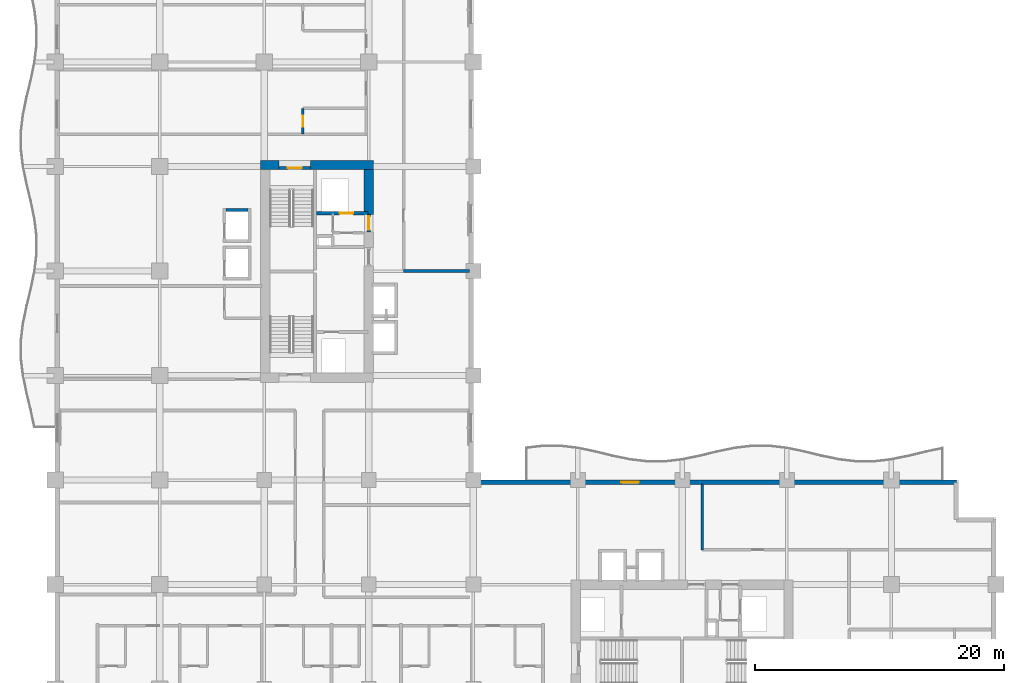
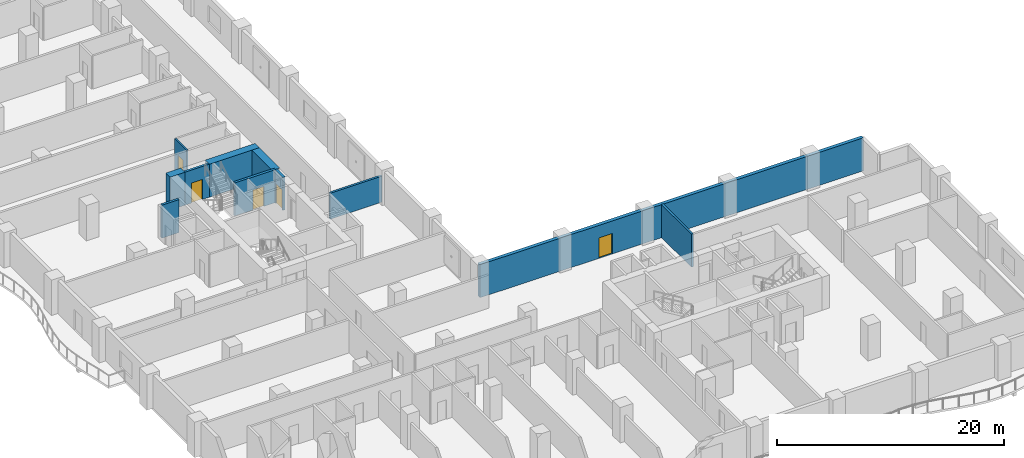
# One storey, part 8 of 17: 11 walls, 5 doors, 5 openings.
"""IFC4 building model written with IfcOpenShell, lengths in metres."""

from ifc_helpers import new_model, si_unit, direction, frame, frame_2d, origin, place, context, subcontext, project, spatial, rectangle, extrude, material, layer, layer_set, type_object, element, fill, save


model = new_model("IFC4")

# Units and contexts
model_context = context("Model", 3, precision=1e-05, world=origin(), true_north=direction((0.0, 1.0)))
body_context = subcontext(model_context, "Body", "Model", "MODEL_VIEW")
ifc_project = project(units=[si_unit("LENGTHUNIT", "METRE"), si_unit("AREAUNIT", "SQUARE_METRE"), si_unit("VOLUMEUNIT", "CUBIC_METRE"), si_unit("PLANEANGLEUNIT", "RADIAN"), si_unit("MASSUNIT", "GRAM", prefix="KILO")], contexts=[model_context])

# Site, building, storey
site_placement = place(None, origin())
site = spatial("IfcSite", under=ifc_project, at=site_placement, CompositionType="ELEMENT")
building_placement = place(site_placement, origin())
building = spatial("IfcBuilding", under=site, at=building_placement, Name="Koriwani Terraces Tower", CompositionType="ELEMENT")
storey_placement = place(building_placement, frame((0.0, 0.0, 130.39990234375)))
storey = spatial("IfcBuildingStorey", under=building, at=storey_placement, Name="L31", CompositionType="ELEMENT", Elevation=130.39990234375)

# Walls
ifc_material_1 = material(Name="Concrete C60/75", Category="concrete")
ifc_layer_1 = layer(ifc_material_1, 0.75, Name="Concrete C60/75")
ifc_layer_set_1 = layer_set([ifc_layer_1], Name="Concrete C60/75")
wall_type_1 = type_object("IfcWallType", Name="WALL_CORE_RC_750", PredefinedType="SHEAR", material=ifc_layer_set_1)
wall_1_placement = place(storey_placement, frame((16.5, 58.925048828125, 0.0), z_axis=(0.0, 0.0, 1.0), x_axis=(1.0, 0.0, 0.0)))
element("IfcWall", 1, at=wall_1_placement, inside=storey, type_object=wall_type_1, Name="L31 West Split Core Shear Wall N1", PredefinedType="SHEAR", context=body_context, shape_type="SweptSolid", body=[
    extrude(rectangle(XDim=1.5, YDim=0.75, at=frame_2d((0.75, 0.0))), origin(), (0.0, 0.0, 1.0), 3.550048828125),
])
wall_2_placement = place(storey_placement, frame((20.5, 58.925048828125, 0.0), z_axis=(0.0, 0.0, 1.0), x_axis=(1.0, 0.0, 0.0)))
element("IfcWall", 2, at=wall_2_placement, inside=storey, type_object=wall_type_1, Name="L31 West Split Core Shear Wall N2", PredefinedType="SHEAR", context=body_context, shape_type="SweptSolid", body=[
    extrude(rectangle(XDim=5.074951171875, YDim=0.75, at=frame_2d((2.53759765625, 0.0))), origin(), (0.0, 0.0, 1.0), 3.550048828125),
])
wall_3_placement = place(storey_placement, frame((25.199951171875, 54.949951171875, 0.0), z_axis=(0.0, 0.0, 1.0), x_axis=(0.0, 1.0, 0.0)))
element("IfcWall", 3, at=wall_3_placement, inside=storey, type_object=wall_type_1, Name="L31 West Split Core Shear Wall E3", PredefinedType="SHEAR", context=body_context, shape_type="SweptSolid", body=[
    extrude(rectangle(XDim=3.60009765625, YDim=0.75, at=frame_2d((1.800048828125, 0.0))), origin(), (0.0, 0.0, 1.0), 3.550048828125),
])
ifc_material_2 = material(Name="Autoclaved Cellular Concrete Blockwork", Category="masonry")
ifc_layer_2 = layer(ifc_material_2, 0.219970703125, Name="Autoclaved Cellular Concrete Blockwork")
ifc_layer_set_2 = layer_set([ifc_layer_2], Name="Autoclaved Cellular Concrete Blockwork")
wall_type_2 = type_object("IfcWallType", Name="WALL_DEMISING_220", PredefinedType="PARTITIONING", material=ifc_layer_set_2)
wall_4_placement = place(storey_placement, frame((28.0, 50.39990234375, 0.0), z_axis=(0.0, 0.0, 1.0), x_axis=(1.0, 0.0, 0.0)))
element("IfcWall", 4, at=wall_4_placement, inside=storey, type_object=wall_type_2, Name="L31 Interior Wall WNEC-S-L31", PredefinedType="PARTITIONING", context=body_context, shape_type="SweptSolid", body=[
    extrude(rectangle(XDim=5.300048828125, YDim=0.219970703125, at=frame_2d((2.64990234375, 0.0))), origin(), (0.0, 0.0, 1.0), 2.800048828125),
])
wall_5_placement = place(storey_placement, frame((52.0, 28.0, 0.0), z_axis=(0.0, 0.0, 1.0), x_axis=(0.0, 1.0, 0.0)))
element("IfcWall", 5, at=wall_5_placement, inside=storey, type_object=wall_type_2, Name="L31 Interior Wall WSET2-W-L31", PredefinedType="PARTITIONING", context=body_context, shape_type="SweptSolid", body=[
    extrude(rectangle(XDim=5.300048828125, YDim=0.219970703125, at=frame_2d((2.64990234375, 0.0))), origin(), (0.0, 0.0, 1.0), 3.550048828125),
])

# Wall, opening, door
ifc_material_3 = material(Name="Concrete C50/60", Category="concrete")
ifc_layer_3 = layer(ifc_material_3, 0.35009765625, Name="Concrete C50/60")
ifc_layer_set_3 = layer_set([ifc_layer_3], Name="Concrete C50/60")
wall_type_3 = type_object("IfcWallType", Name="WALL_EXT_BRUTALIST_350", PredefinedType="STANDARD", material=ifc_layer_set_3)
wall_6_placement = place(storey_placement, frame((33.425048828125, 33.425048828125, 0.0), z_axis=(0.0, 0.0, 1.0), x_axis=(1.0, 0.0, 0.0)))
wall_6 = element("IfcWall", 6, at=wall_6_placement, inside=storey, type_object=wall_type_3, Name="L31 Fair-Faced Brutalist Exterior Wall (NE)", PredefinedType="STANDARD", context=body_context, shape_type="SweptSolid", body=[
    extrude(rectangle(XDim=39.0, YDim=0.35009765625, at=frame_2d((19.5, 0.0))), origin(), (0.0, 0.0, 1.0), 3.550048828125),
])
opening_1_placement = place(wall_6_placement, frame((12.074951171875, 0.0, 0.0)))
opening_1 = element("IfcOpeningElement", 7, at=opening_1_placement, cuts=wall_6, Name="Opening D-09", PredefinedType="OPENING", context=body_context, shape_type="SweptSolid", body=[
    extrude(rectangle(XDim=1.39990234375, YDim=2.199951171875, at=frame_2d((0.699951171875, 1.10009765625))), frame((0.0, 0.18505859375, 0.0), z_axis=(0.0, -1.0, 0.0), x_axis=(1.0, 0.0, 0.0)), (0.0, 0.0, 1.0), 0.3701171875),
])
ifc_material_4 = material(Name="Anodised Bronze Aluminium", Category="aluminium")
door_type_1 = type_object("IfcDoorType", Name="DOOR_BALCONY_GLAZED_1400X2200", OperationType="NOTDEFINED", PredefinedType="DOOR", material=ifc_material_4)
door_1_placement = place(opening_1_placement, origin())
door_1 = element("IfcDoor", 8, at=door_1_placement, inside=storey, type_object=door_type_1, Name="L31 Inner Court Balcony Glazed Door", OperationType="SINGLE_SWING_LEFT", OverallHeight=2.199951171875, OverallWidth=1.39990234375, PredefinedType="DOOR", context=body_context, shape_type="SweptSolid", body=[
    extrude(rectangle(XDim=1.39990234375, YDim=2.199951171875, at=frame_2d((0.699951171875, 1.10009765625))), frame((0.0, 0.02490234375, 0.0), z_axis=(0.0, -1.0, 0.0), x_axis=(1.0, 0.0, 0.0)), (0.0, 0.0, 1.0), 0.050048828125),
])
fill(opening_1, door_1)

ifc_material_5 = material(Name="Fire-Rated Acoustic Gypsum Partition", Category="masonry")
ifc_layer_4 = layer(ifc_material_5, 0.179931640625, Name="Fire-Rated Acoustic Gypsum Partition")
ifc_layer_set_4 = layer_set([ifc_layer_4], Name="Fire-Rated Acoustic Gypsum Partition")
wall_type_4 = type_object("IfcWallType", Name="WALL_PLUMBING_180", PredefinedType="PLUMBINGWALL", material=ifc_layer_set_4)
wall_7_placement = place(storey_placement, frame((19.89990234375, 61.39990234375, 0.0), z_axis=(0.0, 0.0, 1.0), x_axis=(0.0, 1.0, 0.0)))
wall_7 = element("IfcWall", 9, at=wall_7_placement, inside=storey, type_object=wall_type_4, Name="L31 Interior Wall WBTH1-L31-NE-0", PredefinedType="PLUMBINGWALL", context=body_context, shape_type="SweptSolid", body=[
    extrude(rectangle(XDim=2.080078125, YDim=0.179931640625, at=frame_2d((1.0400390625, 0.0))), origin(), (0.0, 0.0, 1.0), 3.550048828125),
])
opening_2_placement = place(wall_7_placement, frame((0.590087890625, 0.0, 0.0)))
opening_2 = element("IfcOpeningElement", 10, at=opening_2_placement, cuts=wall_7, Name="Opening D-07", PredefinedType="OPENING", context=body_context, shape_type="SweptSolid", body=[
    extrude(rectangle(XDim=0.89990234375, YDim=2.10009765625, at=frame_2d((0.449951171875, 1.050048828125))), frame((0.0, 0.10009765625, 0.0), z_axis=(0.0, -1.0, 0.0), x_axis=(1.0, 0.0, 0.0)), (0.0, 0.0, 1.0), 0.199951171875),
])
ifc_material_6 = material(Name="Architectural Oak Fire Door", Category="wood")
door_type_2 = type_object("IfcDoorType", Name="DOOR_BATH_INT_900X2100", OperationType="NOTDEFINED", PredefinedType="DOOR", material=ifc_material_6)
door_2_placement = place(opening_2_placement, origin())
door_2 = element("IfcDoor", 11, at=door_2_placement, inside=storey, type_object=door_type_2, Name="En-Suite Bathroom 31NE1 Door", OperationType="SINGLE_SWING_LEFT", OverallHeight=2.10009765625, OverallWidth=0.89990234375, PredefinedType="DOOR", context=body_context, shape_type="SweptSolid", body=[
    extrude(rectangle(XDim=0.89990234375, YDim=2.10009765625, at=frame_2d((0.449951171875, 1.050048828125))), frame((0.0, 0.02490234375, 0.0), z_axis=(0.0, -1.0, 0.0), x_axis=(1.0, 0.0, 0.0)), (0.0, 0.0, 1.0), 0.050048828125),
])
fill(opening_2, door_2)

ifc_material_7 = material(Name="Concrete C40/50", Category="concrete")
ifc_layer_5 = layer(ifc_material_7, 0.25, Name="Concrete C40/50")
ifc_layer_set_5 = layer_set([ifc_layer_5], Name="Concrete C40/50")
wall_type_5 = type_object("IfcWallType", Name="WALL_SHAFT_RATED_250", PredefinedType="SOLIDWALL", material=ifc_layer_set_5)
wall_8_placement = place(storey_placement, frame((18.0, 58.675048828125, 0.0), z_axis=(0.0, 0.0, 1.0), x_axis=(1.0, 0.0, 0.0)))
wall_8 = element("IfcWall", 12, at=wall_8_placement, inside=storey, type_object=wall_type_5, Name="L31 Interior Wall WIN-CW-L31-STN", PredefinedType="SOLIDWALL", context=body_context, shape_type="SweptSolid", body=[
    extrude(rectangle(XDim=2.5, YDim=0.25, at=frame_2d((1.25, 0.0))), origin(), (0.0, 0.0, 1.0), 3.550048828125),
])
opening_3_placement = place(wall_8_placement, frame((0.699951171875, 0.0, 0.0)))
opening_3 = element("IfcOpeningElement", 13, at=opening_3_placement, cuts=wall_8, Name="Opening D-03", PredefinedType="OPENING", context=body_context, shape_type="SweptSolid", body=[
    extrude(rectangle(XDim=1.10009765625, YDim=2.14990234375, at=frame_2d((0.550048828125, 1.074951171875))), frame((0.0, 0.135009765625, 0.0), z_axis=(0.0, -1.0, 0.0), x_axis=(1.0, 0.0, 0.0)), (0.0, 0.0, 1.0), 0.27001953125),
])
ifc_material_8 = material(Name="Steel ASTM A572 Grade 50", Category="steel")
door_type_3 = type_object("IfcDoorType", Name="DOOR_STAIR_FIRE_1100X2150", OperationType="NOTDEFINED", PredefinedType="DOOR", material=ifc_material_8)
door_3_placement = place(opening_3_placement, origin())
door_3 = element("IfcDoor", 14, at=door_3_placement, inside=storey, type_object=door_type_3, Name="L31 Exit Stair ST-W2 Door", OperationType="SINGLE_SWING_RIGHT", OverallHeight=2.14990234375, OverallWidth=1.10009765625, PredefinedType="DOOR", context=body_context, shape_type="SweptSolid", body=[
    extrude(rectangle(XDim=1.10009765625, YDim=2.14990234375, at=frame_2d((0.550048828125, 1.074951171875))), frame((0.0, 0.02490234375, 0.0), z_axis=(0.0, -1.0, 0.0), x_axis=(1.0, 0.0, 0.0)), (0.0, 0.0, 1.0), 0.050048828125),
])
fill(opening_3, door_3)

wall_9_placement = place(storey_placement, frame((21.0, 55.050048828125, 0.0), z_axis=(0.0, 0.0, 1.0), x_axis=(1.0, 0.0, 0.0)))
wall_9 = element("IfcWall", 15, at=wall_9_placement, inside=storey, type_object=wall_type_5, Name="L31 Interior Wall WIN-CW-L31-SE", PredefinedType="SOLIDWALL", context=body_context, shape_type="SweptSolid", body=[
    extrude(rectangle(XDim=4.14990234375, YDim=0.25, at=frame_2d((2.074951171875, 0.0))), origin(), (0.0, 0.0, 1.0), 3.550048828125),
])
opening_4_placement = place(wall_9_placement, frame((1.85009765625, 0.0, 0.0)))
opening_4 = element("IfcOpeningElement", 16, at=opening_4_placement, cuts=wall_9, Name="Opening LD-01", PredefinedType="OPENING", context=body_context, shape_type="SweptSolid", body=[
    extrude(rectangle(XDim=1.10009765625, YDim=2.14990234375, at=frame_2d((0.550048828125, 1.074951171875))), frame((0.0, 0.135009765625, 0.0), z_axis=(0.0, -1.0, 0.0), x_axis=(1.0, 0.0, 0.0)), (0.0, 0.0, 1.0), 0.27001953125),
])
door_type_4 = type_object("IfcDoorType", Name="DOOR_LIFT_LANDING_1100X2200", OperationType="NOTDEFINED", PredefinedType="DOOR", material=ifc_material_8)
door_4_placement = place(opening_4_placement, origin())
door_4 = element("IfcDoor", 17, at=door_4_placement, inside=storey, type_object=door_type_4, Name="L31 Goods Lift SE-01 Landing Door", OperationType="SLIDING_TO_LEFT", OverallHeight=2.14990234375, OverallWidth=1.10009765625, PredefinedType="DOOR", context=body_context, shape_type="SweptSolid", body=[
    extrude(rectangle(XDim=1.10009765625, YDim=2.14990234375, at=frame_2d((0.550048828125, 1.074951171875))), frame((0.0, 0.02490234375, 0.0), z_axis=(0.0, -1.0, 0.0), x_axis=(1.0, 0.0, 0.0)), (0.0, 0.0, 1.0), 0.050048828125),
])
fill(opening_4, door_4)

wall_10_placement = place(storey_placement, frame((25.199951171875, 53.550048828125, 0.0), z_axis=(0.0, 0.0, 1.0), x_axis=(0.0, 1.0, 0.0)))
wall_10 = element("IfcWall", 18, at=wall_10_placement, inside=storey, type_object=wall_type_5, Name="L31 Interior Wall WIN-CW-L31-EP2", PredefinedType="SOLIDWALL", context=body_context, shape_type="SweptSolid", body=[
    extrude(rectangle(XDim=1.39990234375, YDim=0.25, at=frame_2d((0.699951171875, 0.0))), origin(), (0.0, 0.0, 1.0), 3.550048828125),
])
opening_5_placement = place(wall_10_placement, frame((0.14990234375, 0.0, 0.0)))
opening_5 = element("IfcOpeningElement", 19, at=opening_5_placement, cuts=wall_10, Name="Opening D-03", PredefinedType="OPENING", context=body_context, shape_type="SweptSolid", body=[
    extrude(rectangle(XDim=1.10009765625, YDim=2.14990234375, at=frame_2d((0.550048828125, 1.074951171875))), frame((0.0, 0.135009765625, 0.0), z_axis=(0.0, -1.0, 0.0), x_axis=(1.0, 0.0, 0.0)), (0.0, 0.0, 1.0), 0.27001953125),
])
door_5_placement = place(opening_5_placement, origin())
door_5 = element("IfcDoor", 20, at=door_5_placement, inside=storey, type_object=door_type_3, Name="L31 West Goods Lift Lobby Door", OperationType="SINGLE_SWING_RIGHT", OverallHeight=2.14990234375, OverallWidth=1.10009765625, PredefinedType="DOOR", context=body_context, shape_type="SweptSolid", body=[
    extrude(rectangle(XDim=1.10009765625, YDim=2.14990234375, at=frame_2d((0.550048828125, 1.074951171875))), frame((0.0, 0.02490234375, 0.0), z_axis=(0.0, -1.0, 0.0), x_axis=(1.0, 0.0, 0.0)), (0.0, 0.0, 1.0), 0.050048828125),
])
fill(opening_5, door_5)

# Wall
wall_11_placement = place(storey_placement, frame((13.72509765625, 55.300048828125, 0.0), z_axis=(0.0, 0.0, 1.0), x_axis=(1.0, 0.0, 0.0)))
element("IfcWall", 21, at=wall_11_placement, inside=storey, type_object=wall_type_5, Name="L31 Interior Wall WIN-LF-PE-M2-L31-N", PredefinedType="SOLIDWALL", context=body_context, shape_type="SweptSolid", body=[
    extrude(rectangle(XDim=1.75, YDim=0.25, at=frame_2d((0.875, 0.0))), origin(), (0.0, 0.0, 1.0), 3.550048828125),
])

save(model, "model.ifc")
